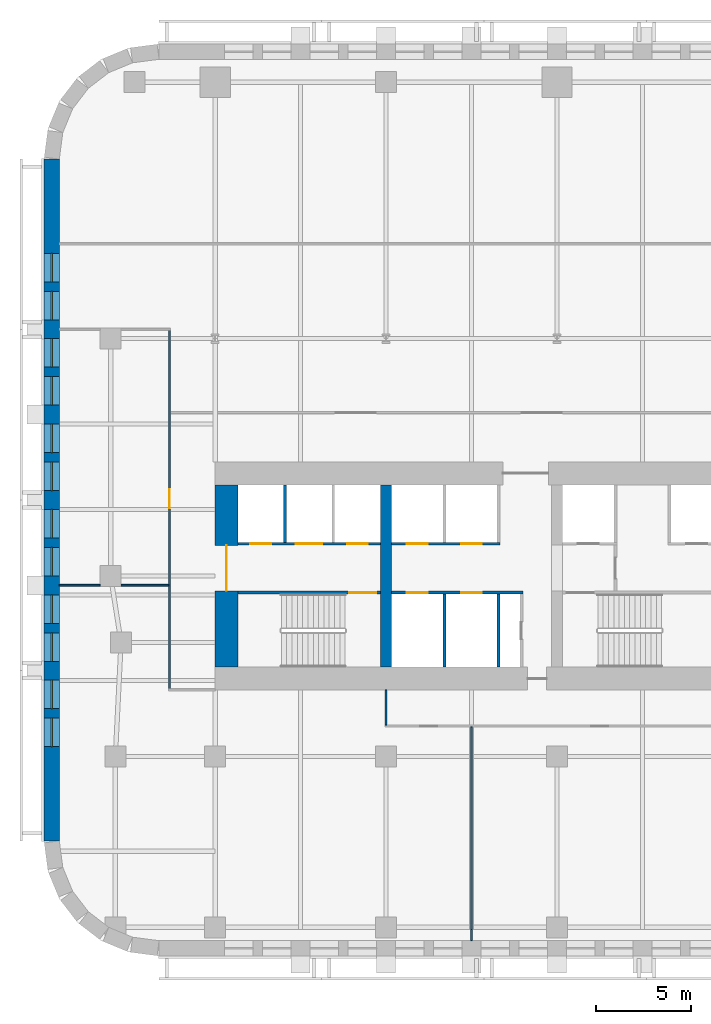
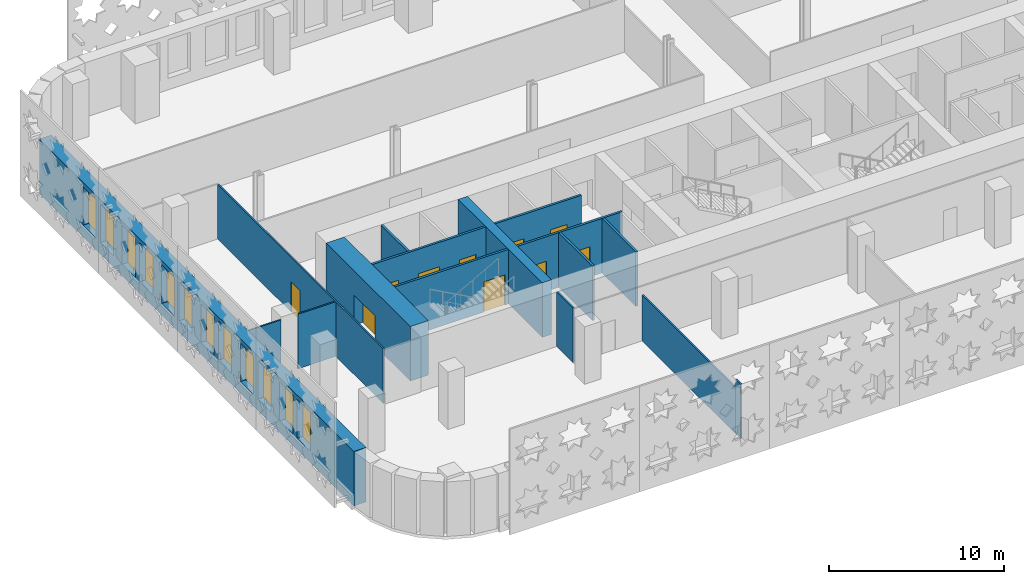
# One storey, part 3 of 15: 16 walls, 12 windows, 10 doors, 22 openings.
"""IFC4 building model written with IfcOpenShell, lengths in metres."""

from ifc_helpers import new_model, si_unit, direction, frame, frame_2d, origin, place, context, subcontext, project, spatial, rectangle, extrude, material, layer, layer_set, type_object, element, fill, save


model = new_model("IFC4")

# Units and contexts
model_context = context("Model", 3, precision=1e-05, world=origin(), true_north=direction((0.0, 1.0)))
body_context = subcontext(model_context, "Body", "Model", "MODEL_VIEW")
ifc_project = project(units=[si_unit("LENGTHUNIT", "METRE"), si_unit("AREAUNIT", "SQUARE_METRE"), si_unit("VOLUMEUNIT", "CUBIC_METRE"), si_unit("PLANEANGLEUNIT", "RADIAN"), si_unit("MASSUNIT", "GRAM", prefix="KILO")], contexts=[model_context])

# Site, building, storey
site_placement = place(None, origin())
site = spatial("IfcSite", under=ifc_project, at=site_placement, CompositionType="ELEMENT")
building_placement = place(site_placement, origin())
building = spatial("IfcBuilding", under=site, at=building_placement, Name="Zellij Exchange Tower", CompositionType="ELEMENT")
storey_placement = place(building_placement, frame((0.0, 0.0, 84.5)))
storey = spatial("IfcBuildingStorey", under=building, at=storey_placement, Name="L17", CompositionType="ELEMENT", Elevation=84.5)

# Walls
ifc_material_1 = material(Name="Concrete C70/85", Category="concrete")
ifc_layer_1 = layer(ifc_material_1, 0.60009765625)
ifc_layer_set_1 = layer_set([ifc_layer_1], Name="Concrete C70/85")
wall_type_1 = type_object("IfcWallType", Name="CORE-CW 600 C70/85", PredefinedType="SHEAR", material=ifc_layer_set_1)
wall_1_placement = place(storey_placement, frame((-18.0, -12.800048828125, 0.0), z_axis=(0.0, 0.0, 1.0), x_axis=(0.0, 1.0, 0.0)))
element("IfcWall", 1, at=wall_1_placement, inside=storey, type_object=wall_type_1, Name="Core cross wall x -18 L17", PredefinedType="SHEAR", context=body_context, shape_type="SweptSolid", body=[
    extrude(rectangle(XDim=9.60009765625, YDim=0.60009765625, at=frame_2d((4.800048828125, 0.0))), origin(), (0.0, 0.0, 1.0), 3.800048828125),
])
ifc_material_2 = material(Name="Gypsum shaft wall system")
ifc_layer_2 = layer(ifc_material_2, 0.14990234375)
ifc_layer_set_2 = layer_set([ifc_layer_2], Name="Gypsum shaft wall system")
wall_type_2 = type_object("IfcWallType", Name="CORE-PW 150 Lift shaft wall", PredefinedType="PARTITIONING", material=ifc_layer_set_2)
wall_2_placement = place(storey_placement, frame((-23.324951171875, -6.22509765625, 0.0), z_axis=(0.0, 0.0, 1.0), x_axis=(0.0, 1.0, 0.0)))
element("IfcWall", 2, at=wall_2_placement, inside=storey, type_object=wall_type_2, Name="Lift shaft wall L17", PredefinedType="PARTITIONING", context=body_context, shape_type="SweptSolid", body=[
    extrude(rectangle(XDim=3.025146484375, YDim=0.14990234375, at=frame_2d((1.5126953125, 0.0))), origin(), (0.0, 0.0, 1.0), 3.800048828125),
])
for number, where, z_axis, x_axis, name in (
    (3, (-12.074951171875, -12.800048828125, 0.0), (0.0, 0.0, 1.0), (0.0, 1.0, 0.0), "Lift shaft wall L17"),
    (4, (-14.925048828125, -12.800048828125, 0.0), (0.0, 0.0, 1.0), (0.0, 1.0, 0.0), "Lift shaft wall L17"),
):
    element("IfcWall", number, at=place(storey_placement, frame(where, z_axis=z_axis, x_axis=x_axis)), inside=storey, type_object=wall_type_2, Name=name, PredefinedType="PARTITIONING", context=body_context, shape_type="SweptSolid", body=[
        extrude(rectangle(XDim=3.85009765625, YDim=0.14990234375, at=frame_2d((1.925048828125, 0.0))), origin(), (0.0, 0.0, 1.0), 3.800048828125),
    ])

# Wall, openings, doors
wall_3_placement = place(storey_placement, frame((-25.800048828125, -6.300048828125, 0.0), z_axis=(0.0, 0.0, 1.0), x_axis=(1.0, 0.0, 0.0)))
wall_3 = element("IfcWall", 5, at=wall_3_placement, inside=storey, type_object=wall_type_2, Name="Lift shaft wall L17", PredefinedType="PARTITIONING", context=body_context, shape_type="SweptSolid", body=[
    extrude(rectangle(XDim=7.5, YDim=0.14990234375, at=frame_2d((3.75, 0.0))), origin(), (0.0, 0.0, 1.0), 3.800048828125),
])
opening_1_placement = place(wall_3_placement, frame((0.64990234375, 0.0, 0.0)))
opening_1 = element("IfcOpeningElement", 6, at=opening_1_placement, cuts=wall_3, Name="Opening CA-09.02", PredefinedType="OPENING", context=body_context, shape_type="SweptSolid", body=[
    extrude(rectangle(XDim=1.10009765625, YDim=2.10009765625, at=frame_2d((0.550048828125, 1.050048828125))), frame((0.0, 0.0869140625, 0.0), z_axis=(0.0, -1.0, 0.0), x_axis=(1.0, 0.0, 0.0)), (0.0, 0.0, 1.0), 0.173828125),
])
opening_2_placement = place(wall_3_placement, frame((3.050048828125, 0.0, 0.0)))
opening_2 = element("IfcOpeningElement", 7, at=opening_2_placement, cuts=wall_3, Name="Opening CA-09.03", PredefinedType="OPENING", context=body_context, shape_type="SweptSolid", body=[
    extrude(rectangle(XDim=1.39990234375, YDim=2.10009765625, at=frame_2d((0.699951171875, 1.050048828125))), frame((0.0, 0.0869140625, 0.0), z_axis=(0.0, -1.0, 0.0), x_axis=(1.0, 0.0, 0.0)), (0.0, 0.0, 1.0), 0.173828125),
])
opening_3_placement = place(wall_3_placement, frame((5.75, 0.0, 0.0)))
opening_3 = element("IfcOpeningElement", 8, at=opening_3_placement, cuts=wall_3, Name="Opening CA-09.04", PredefinedType="OPENING", context=body_context, shape_type="SweptSolid", body=[
    extrude(rectangle(XDim=1.10009765625, YDim=2.10009765625, at=frame_2d((0.550048828125, 1.050048828125))), frame((0.0, 0.0869140625, 0.0), z_axis=(0.0, -1.0, 0.0), x_axis=(1.0, 0.0, 0.0)), (0.0, 0.0, 1.0), 0.173828125),
])
ifc_material_3 = material(Name="Hollow metal fire door")
door_type_1 = type_object("IfcDoorType", Name="CORE-D LD Lift landing door 1100x2100 1.5 HR", OperationType="NOTDEFINED", PredefinedType="DOOR", material=ifc_material_3)
door_1_placement = place(opening_1_placement, origin())
door_1 = element("IfcDoor", 9, at=door_1_placement, inside=storey, type_object=door_type_1, Name="Lift landing door CA-09.02", OperationType="SLIDING_TO_RIGHT", OverallHeight=2.10009765625, OverallWidth=1.10009765625, PredefinedType="DOOR", context=body_context, shape_type="SweptSolid", body=[
    extrude(rectangle(XDim=1.10009765625, YDim=2.10009765625, at=frame_2d((0.550048828125, 1.050048828125))), frame((0.0, 0.02490234375, 0.0), z_axis=(0.0, -1.0, 0.0), x_axis=(1.0, 0.0, 0.0)), (0.0, 0.0, 1.0), 0.050048828125),
])
fill(opening_1, door_1)
door_2_placement = place(opening_3_placement, origin())
door_2 = element("IfcDoor", 10, at=door_2_placement, inside=storey, type_object=door_type_1, Name="Lift landing door CA-09.04", OperationType="SLIDING_TO_RIGHT", OverallHeight=2.10009765625, OverallWidth=1.10009765625, PredefinedType="DOOR", context=body_context, shape_type="SweptSolid", body=[
    extrude(rectangle(XDim=1.10009765625, YDim=2.10009765625, at=frame_2d((0.550048828125, 1.050048828125))), frame((0.0, 0.02490234375, 0.0), z_axis=(0.0, -1.0, 0.0), x_axis=(1.0, 0.0, 0.0)), (0.0, 0.0, 1.0), 0.050048828125),
])
fill(opening_3, door_2)
door_type_2 = type_object("IfcDoorType", Name="CORE-D LD2 Service lift landing door 1400x2100 1.5 HR", OperationType="NOTDEFINED", PredefinedType="DOOR", material=ifc_material_3)
door_3_placement = place(opening_2_placement, origin())
door_3 = element("IfcDoor", 11, at=door_3_placement, inside=storey, type_object=door_type_2, Name="Service lift landing door CA-09.03", OperationType="SLIDING_TO_LEFT", OverallHeight=2.10009765625, OverallWidth=1.39990234375, PredefinedType="DOOR", context=body_context, shape_type="SweptSolid", body=[
    extrude(rectangle(XDim=1.39990234375, YDim=2.10009765625, at=frame_2d((0.699951171875, 1.050048828125))), frame((0.0, 0.02490234375, 0.0), z_axis=(0.0, -1.0, 0.0), x_axis=(1.0, 0.0, 0.0)), (0.0, 0.0, 1.0), 0.050048828125),
])
fill(opening_2, door_3)

wall_4_placement = place(storey_placement, frame((-17.699951171875, -6.300048828125, 0.0), z_axis=(0.0, 0.0, 1.0), x_axis=(1.0, 0.0, 0.0)))
wall_4 = element("IfcWall", 12, at=wall_4_placement, inside=storey, type_object=wall_type_2, Name="Lift shaft wall L17", PredefinedType="PARTITIONING", context=body_context, shape_type="SweptSolid", body=[
    extrude(rectangle(XDim=5.699951171875, YDim=0.14990234375, at=frame_2d((2.85009765625, 0.0))), origin(), (0.0, 0.0, 1.0), 3.800048828125),
])
opening_4_placement = place(wall_4_placement, frame((0.800048828125, 0.0, 0.0)))
opening_4 = element("IfcOpeningElement", 13, at=opening_4_placement, cuts=wall_4, Name="Opening CA-09.07", PredefinedType="OPENING", context=body_context, shape_type="SweptSolid", body=[
    extrude(rectangle(XDim=1.10009765625, YDim=2.10009765625, at=frame_2d((0.550048828125, 1.050048828125))), frame((0.0, 0.0869140625, 0.0), z_axis=(0.0, -1.0, 0.0), x_axis=(1.0, 0.0, 0.0)), (0.0, 0.0, 1.0), 0.173828125),
])
opening_5_placement = place(wall_4_placement, frame((3.64990234375, 0.0, 0.0)))
opening_5 = element("IfcOpeningElement", 14, at=opening_5_placement, cuts=wall_4, Name="Opening CA-09.09", PredefinedType="OPENING", context=body_context, shape_type="SweptSolid", body=[
    extrude(rectangle(XDim=1.10009765625, YDim=2.10009765625, at=frame_2d((0.550048828125, 1.050048828125))), frame((0.0, 0.0869140625, 0.0), z_axis=(0.0, -1.0, 0.0), x_axis=(1.0, 0.0, 0.0)), (0.0, 0.0, 1.0), 0.173828125),
])
door_4_placement = place(opening_4_placement, origin())
door_4 = element("IfcDoor", 15, at=door_4_placement, inside=storey, type_object=door_type_1, Name="Lift landing door CA-09.07", OperationType="SLIDING_TO_LEFT", OverallHeight=2.10009765625, OverallWidth=1.10009765625, PredefinedType="DOOR", context=body_context, shape_type="SweptSolid", body=[
    extrude(rectangle(XDim=1.10009765625, YDim=2.10009765625, at=frame_2d((0.550048828125, 1.050048828125))), frame((0.0, 0.02490234375, 0.0), z_axis=(0.0, -1.0, 0.0), x_axis=(1.0, 0.0, 0.0)), (0.0, 0.0, 1.0), 0.050048828125),
])
fill(opening_4, door_4)
door_5_placement = place(opening_5_placement, origin())
door_5 = element("IfcDoor", 16, at=door_5_placement, inside=storey, type_object=door_type_1, Name="Lift landing door CA-09.09", OperationType="SLIDING_TO_LEFT", OverallHeight=2.10009765625, OverallWidth=1.10009765625, PredefinedType="DOOR", context=body_context, shape_type="SweptSolid", body=[
    extrude(rectangle(XDim=1.10009765625, YDim=2.10009765625, at=frame_2d((0.550048828125, 1.050048828125))), frame((0.0, 0.02490234375, 0.0), z_axis=(0.0, -1.0, 0.0), x_axis=(1.0, 0.0, 0.0)), (0.0, 0.0, 1.0), 0.050048828125),
])
fill(opening_5, door_5)

wall_5_placement = place(storey_placement, frame((-17.699951171875, -8.875, 0.0), z_axis=(0.0, 0.0, 1.0), x_axis=(1.0, 0.0, 0.0)))
wall_5 = element("IfcWall", 17, at=wall_5_placement, inside=storey, type_object=wall_type_2, Name="Lift shaft wall L17", PredefinedType="PARTITIONING", context=body_context, shape_type="SweptSolid", body=[
    extrude(rectangle(XDim=6.89990234375, YDim=0.14990234375, at=frame_2d((3.449951171875, 0.0))), origin(), (0.0, 0.0, 1.0), 3.800048828125),
])
opening_6_placement = place(wall_5_placement, frame((0.800048828125, 0.0, 0.0)))
opening_6 = element("IfcOpeningElement", 18, at=opening_6_placement, cuts=wall_5, Name="Opening CA-09.06", PredefinedType="OPENING", context=body_context, shape_type="SweptSolid", body=[
    extrude(rectangle(XDim=1.10009765625, YDim=2.10009765625, at=frame_2d((0.550048828125, 1.050048828125))), frame((0.0, 0.0869140625, 0.0), z_axis=(0.0, -1.0, 0.0), x_axis=(1.0, 0.0, 0.0)), (0.0, 0.0, 1.0), 0.173828125),
])
opening_7_placement = place(wall_5_placement, frame((3.64990234375, 0.0, 0.0)))
opening_7 = element("IfcOpeningElement", 19, at=opening_7_placement, cuts=wall_5, Name="Opening CA-09.08", PredefinedType="OPENING", context=body_context, shape_type="SweptSolid", body=[
    extrude(rectangle(XDim=1.10009765625, YDim=2.10009765625, at=frame_2d((0.550048828125, 1.050048828125))), frame((0.0, 0.0869140625, 0.0), z_axis=(0.0, -1.0, 0.0), x_axis=(1.0, 0.0, 0.0)), (0.0, 0.0, 1.0), 0.173828125),
])
door_6_placement = place(opening_6_placement, origin())
door_6 = element("IfcDoor", 20, at=door_6_placement, inside=storey, type_object=door_type_1, Name="Lift landing door CA-09.06", OperationType="SLIDING_TO_RIGHT", OverallHeight=2.10009765625, OverallWidth=1.10009765625, PredefinedType="DOOR", context=body_context, shape_type="SweptSolid", body=[
    extrude(rectangle(XDim=1.10009765625, YDim=2.10009765625, at=frame_2d((0.550048828125, 1.050048828125))), frame((0.0, 0.02490234375, 0.0), z_axis=(0.0, -1.0, 0.0), x_axis=(1.0, 0.0, 0.0)), (0.0, 0.0, 1.0), 0.050048828125),
])
fill(opening_6, door_6)
door_7_placement = place(opening_7_placement, origin())
door_7 = element("IfcDoor", 21, at=door_7_placement, inside=storey, type_object=door_type_1, Name="Lift landing door CA-09.08", OperationType="SLIDING_TO_RIGHT", OverallHeight=2.10009765625, OverallWidth=1.10009765625, PredefinedType="DOOR", context=body_context, shape_type="SweptSolid", body=[
    extrude(rectangle(XDim=1.10009765625, YDim=2.10009765625, at=frame_2d((0.550048828125, 1.050048828125))), frame((0.0, 0.02490234375, 0.0), z_axis=(0.0, -1.0, 0.0), x_axis=(1.0, 0.0, 0.0)), (0.0, 0.0, 1.0), 0.050048828125),
])
fill(opening_7, door_7)

# Wall, opening, door
ifc_layer_3 = layer(ifc_material_1, 1.199951171875)
ifc_layer_set_3 = layer_set([ifc_layer_3], Name="Concrete C70/85")
wall_type_3 = type_object("IfcWallType", Name="CORE-SW 1200 C70/85", PredefinedType="SHEAR", material=ifc_layer_set_3)
wall_6_placement = place(storey_placement, frame((-26.39990234375, -12.800048828125, 0.0), z_axis=(0.0, 0.0, 1.0), x_axis=(0.0, 1.0, 0.0)))
wall_6 = element("IfcWall", 22, at=wall_6_placement, inside=storey, type_object=wall_type_3, Name="Core shear wall end w L17", PredefinedType="SHEAR", context=body_context, shape_type="SweptSolid", body=[
    extrude(rectangle(XDim=9.60009765625, YDim=1.199951171875, at=frame_2d((4.800048828125, 0.0))), origin(), (0.0, 0.0, 1.0), 3.800048828125),
])
opening_8_placement = place(wall_6_placement, frame((4.011962890625, 0.0, 0.0)))
opening_8 = element("IfcOpeningElement", 23, at=opening_8_placement, cuts=wall_6, Name="Opening CA-09.01", PredefinedType="OPENING", context=body_context, shape_type="SweptSolid", body=[
    extrude(rectangle(XDim=2.39990234375, YDim=2.10009765625, at=frame_2d((1.199951171875, 1.050048828125))), frame((0.0, 0.61181640625, 0.0), z_axis=(0.0, -1.0, 0.0), x_axis=(1.0, 0.0, 0.0)), (0.0, 0.0, 1.0), 1.223876953125),
])
door_type_3 = type_object("IfcDoorType", Name="CORE-D CE Core entrance door 2400x2100 20 MIN", OperationType="NOTDEFINED", PredefinedType="DOOR", material=ifc_material_3)
door_8_placement = place(opening_8_placement, origin())
door_8 = element("IfcDoor", 24, at=door_8_placement, inside=storey, type_object=door_type_3, Name="Core entrance door CA-09.01", OperationType="DOUBLE_DOOR_SINGLE_SWING", OverallHeight=2.10009765625, OverallWidth=2.39990234375, PredefinedType="DOOR", context=body_context, shape_type="SweptSolid", body=[
    extrude(rectangle(XDim=2.39990234375, YDim=2.10009765625, at=frame_2d((1.199951171875, 1.050048828125))), frame((0.0, 0.02490234375, 0.0), z_axis=(0.0, -1.0, 0.0), x_axis=(1.0, 0.0, 0.0)), (0.0, 0.0, 1.0), 0.050048828125),
])
fill(opening_8, door_8)

ifc_layer_4 = layer(ifc_material_1, 0.14990234375)
ifc_layer_set_4 = layer_set([ifc_layer_4], Name="Concrete C70/85")
wall_type_4 = type_object("IfcWallType", Name="CORE-SWS 150 C70/85", PredefinedType="SHEAR", material=ifc_layer_set_4)
wall_7_placement = place(storey_placement, frame((-25.800048828125, -8.875, 0.0), z_axis=(0.0, 0.0, 1.0), x_axis=(1.0, 0.0, 0.0)))
wall_7 = element("IfcWall", 25, at=wall_7_placement, inside=storey, type_object=wall_type_4, Name="Stair enclosure wall L17", PredefinedType="SHEAR", context=body_context, shape_type="SweptSolid", body=[
    extrude(rectangle(XDim=7.5, YDim=0.14990234375, at=frame_2d((3.75, 0.0))), origin(), (0.0, 0.0, 1.0), 3.800048828125),
])
opening_9_placement = place(wall_7_placement, frame((5.875, 0.0, 0.0)))
opening_9 = element("IfcOpeningElement", 26, at=opening_9_placement, cuts=wall_7, Name="Opening CA-09.05", PredefinedType="OPENING", context=body_context, shape_type="SweptSolid", body=[
    extrude(rectangle(XDim=1.39990234375, YDim=2.10009765625, at=frame_2d((0.699951171875, 1.050048828125))), frame((0.0, 0.0869140625, 0.0), z_axis=(0.0, -1.0, 0.0), x_axis=(1.0, 0.0, 0.0)), (0.0, 0.0, 1.0), 0.173828125),
])
door_type_4 = type_object("IfcDoorType", Name="CORE-D SD Stair door 1400x2100 1.5 HR", OperationType="NOTDEFINED", PredefinedType="DOOR", material=ifc_material_3)
door_9_placement = place(opening_9_placement, origin())
door_9 = element("IfcDoor", 27, at=door_9_placement, inside=storey, type_object=door_type_4, Name="Stair door CA-09.05", OperationType="DOUBLE_DOOR_SINGLE_SWING", OverallHeight=2.10009765625, OverallWidth=1.39990234375, PredefinedType="DOOR", context=body_context, shape_type="SweptSolid", body=[
    extrude(rectangle(XDim=1.39990234375, YDim=2.10009765625, at=frame_2d((0.699951171875, 1.050048828125))), frame((0.0, 0.02490234375, 0.0), z_axis=(0.0, -1.0, 0.0), x_axis=(1.0, 0.0, 0.0)), (0.0, 0.0, 1.0), 0.050048828125),
])
fill(opening_9, door_9)

# Wall, openings, windows
ifc_material_4 = material(Name="Precast concrete C40/50", Category="concrete")
ifc_layer_5 = layer(ifc_material_4, 0.800048828125)
ifc_layer_set_5 = layer_set([ifc_layer_5], Name="Precast concrete C40/50")
wall_type_5 = type_object("IfcWallType", Name="ENV-EW1 Precast stone-piered wall 800", PredefinedType="SOLIDWALL", material=ifc_layer_set_5)
wall_8_placement = place(storey_placement, frame((-35.60009765625, 13.947509765625, 0.0), z_axis=(0.0, 0.0, 1.0), x_axis=(0.0, -1.0, 0.0)))
wall_8 = element("IfcWall", 28, at=wall_8_placement, inside=storey, type_object=wall_type_5, Name="fac.L17.21", PredefinedType="SOLIDWALL", context=body_context, shape_type="SweptSolid", body=[
    extrude(rectangle(XDim=35.89501953125, YDim=0.800048828125, at=frame_2d((17.947509765625, 0.0))), origin(), (0.0, 0.0, 1.0), 3.800048828125),
])
opening_10_placement = place(wall_8_placement, frame((4.9638671875, 0.0, 0.800048828125)))
opening_10 = element("IfcOpeningElement", 29, at=opening_10_placement, cuts=wall_8, Name="Opening FZ1.61", PredefinedType="OPENING", context=body_context, shape_type="SweptSolid", body=[
    extrude(rectangle(XDim=1.5, YDim=2.699951171875, at=frame_2d((0.75, 1.35009765625))), frame((0.0, 0.412109375, 0.0), z_axis=(0.0, -1.0, 0.0), x_axis=(1.0, 0.0, 0.0)), (0.0, 0.0, 1.0), 0.823974609375),
])
opening_11_placement = place(wall_8_placement, frame((6.9638671875, 0.0, 0.800048828125)))
opening_11 = element("IfcOpeningElement", 30, at=opening_11_placement, cuts=wall_8, Name="Opening FZ1.62", PredefinedType="OPENING", context=body_context, shape_type="SweptSolid", body=[
    extrude(rectangle(XDim=1.5, YDim=2.699951171875, at=frame_2d((0.75, 1.35009765625))), frame((0.0, 0.412109375, 0.0), z_axis=(0.0, -1.0, 0.0), x_axis=(1.0, 0.0, 0.0)), (0.0, 0.0, 1.0), 0.823974609375),
])
opening_12_placement = place(wall_8_placement, frame((9.45751953125, 0.0, 0.800048828125)))
opening_12 = element("IfcOpeningElement", 31, at=opening_12_placement, cuts=wall_8, Name="Opening FZ1.63", PredefinedType="OPENING", context=body_context, shape_type="SweptSolid", body=[
    extrude(rectangle(XDim=1.5, YDim=2.699951171875, at=frame_2d((0.75, 1.35009765625))), frame((0.0, 0.412109375, 0.0), z_axis=(0.0, -1.0, 0.0), x_axis=(1.0, 0.0, 0.0)), (0.0, 0.0, 1.0), 0.823974609375),
])
opening_13_placement = place(wall_8_placement, frame((11.45751953125, 0.0, 0.800048828125)))
opening_13 = element("IfcOpeningElement", 32, at=opening_13_placement, cuts=wall_8, Name="Opening FZ1.64", PredefinedType="OPENING", context=body_context, shape_type="SweptSolid", body=[
    extrude(rectangle(XDim=1.5, YDim=2.699951171875, at=frame_2d((0.75, 1.35009765625))), frame((0.0, 0.412109375, 0.0), z_axis=(0.0, -1.0, 0.0), x_axis=(1.0, 0.0, 0.0)), (0.0, 0.0, 1.0), 0.823974609375),
])
opening_14_placement = place(wall_8_placement, frame((13.950927734375, 0.0, 0.800048828125)))
opening_14 = element("IfcOpeningElement", 33, at=opening_14_placement, cuts=wall_8, Name="Opening FZ1.65", PredefinedType="OPENING", context=body_context, shape_type="SweptSolid", body=[
    extrude(rectangle(XDim=1.5, YDim=2.699951171875, at=frame_2d((0.75, 1.35009765625))), frame((0.0, 0.412109375, 0.0), z_axis=(0.0, -1.0, 0.0), x_axis=(1.0, 0.0, 0.0)), (0.0, 0.0, 1.0), 0.823974609375),
])
opening_15_placement = place(wall_8_placement, frame((15.95068359375, 0.0, 0.800048828125)))
opening_15 = element("IfcOpeningElement", 34, at=opening_15_placement, cuts=wall_8, Name="Opening FZ1.66", PredefinedType="OPENING", context=body_context, shape_type="SweptSolid", body=[
    extrude(rectangle(XDim=1.5, YDim=2.699951171875, at=frame_2d((0.75, 1.35009765625))), frame((0.0, 0.412109375, 0.0), z_axis=(0.0, -1.0, 0.0), x_axis=(1.0, 0.0, 0.0)), (0.0, 0.0, 1.0), 0.823974609375),
])
opening_16_placement = place(wall_8_placement, frame((18.4443359375, 0.0, 0.800048828125)))
opening_16 = element("IfcOpeningElement", 35, at=opening_16_placement, cuts=wall_8, Name="Opening FZ1.67", PredefinedType="OPENING", context=body_context, shape_type="SweptSolid", body=[
    extrude(rectangle(XDim=1.5, YDim=2.699951171875, at=frame_2d((0.75, 1.35009765625))), frame((0.0, 0.412109375, 0.0), z_axis=(0.0, -1.0, 0.0), x_axis=(1.0, 0.0, 0.0)), (0.0, 0.0, 1.0), 0.823974609375),
])
opening_17_placement = place(wall_8_placement, frame((20.4443359375, 0.0, 0.800048828125)))
opening_17 = element("IfcOpeningElement", 36, at=opening_17_placement, cuts=wall_8, Name="Opening FZ1.68", PredefinedType="OPENING", context=body_context, shape_type="SweptSolid", body=[
    extrude(rectangle(XDim=1.5, YDim=2.699951171875, at=frame_2d((0.75, 1.35009765625))), frame((0.0, 0.412109375, 0.0), z_axis=(0.0, -1.0, 0.0), x_axis=(1.0, 0.0, 0.0)), (0.0, 0.0, 1.0), 0.823974609375),
])
opening_18_placement = place(wall_8_placement, frame((22.937744140625, 0.0, 0.800048828125)))
opening_18 = element("IfcOpeningElement", 37, at=opening_18_placement, cuts=wall_8, Name="Opening FZ1.69", PredefinedType="OPENING", context=body_context, shape_type="SweptSolid", body=[
    extrude(rectangle(XDim=1.5, YDim=2.699951171875, at=frame_2d((0.75, 1.35009765625))), frame((0.0, 0.412109375, 0.0), z_axis=(0.0, -1.0, 0.0), x_axis=(1.0, 0.0, 0.0)), (0.0, 0.0, 1.0), 0.823974609375),
])
opening_19_placement = place(wall_8_placement, frame((24.937744140625, 0.0, 0.800048828125)))
opening_19 = element("IfcOpeningElement", 38, at=opening_19_placement, cuts=wall_8, Name="Opening FZ1.70", PredefinedType="OPENING", context=body_context, shape_type="SweptSolid", body=[
    extrude(rectangle(XDim=1.5, YDim=2.699951171875, at=frame_2d((0.75, 1.35009765625))), frame((0.0, 0.412109375, 0.0), z_axis=(0.0, -1.0, 0.0), x_axis=(1.0, 0.0, 0.0)), (0.0, 0.0, 1.0), 0.823974609375),
])
opening_20_placement = place(wall_8_placement, frame((27.43115234375, 0.0, 0.800048828125)))
opening_20 = element("IfcOpeningElement", 39, at=opening_20_placement, cuts=wall_8, Name="Opening FZ1.71", PredefinedType="OPENING", context=body_context, shape_type="SweptSolid", body=[
    extrude(rectangle(XDim=1.5, YDim=2.699951171875, at=frame_2d((0.75, 1.35009765625))), frame((0.0, 0.412109375, 0.0), z_axis=(0.0, -1.0, 0.0), x_axis=(1.0, 0.0, 0.0)), (0.0, 0.0, 1.0), 0.823974609375),
])
opening_21_placement = place(wall_8_placement, frame((29.43115234375, 0.0, 0.800048828125)))
opening_21 = element("IfcOpeningElement", 40, at=opening_21_placement, cuts=wall_8, Name="Opening FZ1.72", PredefinedType="OPENING", context=body_context, shape_type="SweptSolid", body=[
    extrude(rectangle(XDim=1.5, YDim=2.699951171875, at=frame_2d((0.75, 1.35009765625))), frame((0.0, 0.412109375, 0.0), z_axis=(0.0, -1.0, 0.0), x_axis=(1.0, 0.0, 0.0)), (0.0, 0.0, 1.0), 0.823974609375),
])
ifc_material_5 = material(Name="Aluminium frame with insulating glass", Category="aluminium")
window_type = type_object("IfcWindowType", Name="ENV-W6 Window 1500x2700", PartitioningType="SINGLE_PANEL", PredefinedType="WINDOW", material=ifc_material_5)
window_1_placement = place(opening_10_placement, origin())
window_1 = element("IfcWindow", 41, at=window_1_placement, inside=storey, type_object=window_type, Name="Window FZ1.61", OverallHeight=2.699951171875, OverallWidth=1.5, PartitioningType="SINGLE_PANEL", PredefinedType="WINDOW", context=body_context, shape_type="SweptSolid", body=[
    extrude(rectangle(XDim=1.5, YDim=2.699951171875, at=frame_2d((0.75, 1.35009765625))), frame((0.0, 0.030029296875, 0.0), z_axis=(0.0, -1.0, 0.0), x_axis=(1.0, 0.0, 0.0)), (0.0, 0.0, 1.0), 0.06005859375),
])
fill(opening_10, window_1)
window_2_placement = place(opening_11_placement, origin())
window_2 = element("IfcWindow", 42, at=window_2_placement, inside=storey, type_object=window_type, Name="Window FZ1.62", OverallHeight=2.699951171875, OverallWidth=1.5, PartitioningType="SINGLE_PANEL", PredefinedType="WINDOW", context=body_context, shape_type="SweptSolid", body=[
    extrude(rectangle(XDim=1.5, YDim=2.699951171875, at=frame_2d((0.75, 1.35009765625))), frame((0.0, 0.030029296875, 0.0), z_axis=(0.0, -1.0, 0.0), x_axis=(1.0, 0.0, 0.0)), (0.0, 0.0, 1.0), 0.06005859375),
])
fill(opening_11, window_2)
window_3_placement = place(opening_12_placement, origin())
window_3 = element("IfcWindow", 43, at=window_3_placement, inside=storey, type_object=window_type, Name="Window FZ1.63", OverallHeight=2.699951171875, OverallWidth=1.5, PartitioningType="SINGLE_PANEL", PredefinedType="WINDOW", context=body_context, shape_type="SweptSolid", body=[
    extrude(rectangle(XDim=1.5, YDim=2.699951171875, at=frame_2d((0.75, 1.35009765625))), frame((0.0, 0.030029296875, 0.0), z_axis=(0.0, -1.0, 0.0), x_axis=(1.0, 0.0, 0.0)), (0.0, 0.0, 1.0), 0.06005859375),
])
fill(opening_12, window_3)
window_4_placement = place(opening_13_placement, origin())
window_4 = element("IfcWindow", 44, at=window_4_placement, inside=storey, type_object=window_type, Name="Window FZ1.64", OverallHeight=2.699951171875, OverallWidth=1.5, PartitioningType="SINGLE_PANEL", PredefinedType="WINDOW", context=body_context, shape_type="SweptSolid", body=[
    extrude(rectangle(XDim=1.5, YDim=2.699951171875, at=frame_2d((0.75, 1.35009765625))), frame((0.0, 0.030029296875, 0.0), z_axis=(0.0, -1.0, 0.0), x_axis=(1.0, 0.0, 0.0)), (0.0, 0.0, 1.0), 0.06005859375),
])
fill(opening_13, window_4)
window_5_placement = place(opening_14_placement, origin())
window_5 = element("IfcWindow", 45, at=window_5_placement, inside=storey, type_object=window_type, Name="Window FZ1.65", OverallHeight=2.699951171875, OverallWidth=1.5, PartitioningType="SINGLE_PANEL", PredefinedType="WINDOW", context=body_context, shape_type="SweptSolid", body=[
    extrude(rectangle(XDim=1.5, YDim=2.699951171875, at=frame_2d((0.75, 1.35009765625))), frame((0.0, 0.030029296875, 0.0), z_axis=(0.0, -1.0, 0.0), x_axis=(1.0, 0.0, 0.0)), (0.0, 0.0, 1.0), 0.06005859375),
])
fill(opening_14, window_5)
window_6_placement = place(opening_15_placement, origin())
window_6 = element("IfcWindow", 46, at=window_6_placement, inside=storey, type_object=window_type, Name="Window FZ1.66", OverallHeight=2.699951171875, OverallWidth=1.5, PartitioningType="SINGLE_PANEL", PredefinedType="WINDOW", context=body_context, shape_type="SweptSolid", body=[
    extrude(rectangle(XDim=1.5, YDim=2.699951171875, at=frame_2d((0.75, 1.35009765625))), frame((0.0, 0.030029296875, 0.0), z_axis=(0.0, -1.0, 0.0), x_axis=(1.0, 0.0, 0.0)), (0.0, 0.0, 1.0), 0.06005859375),
])
fill(opening_15, window_6)
window_7_placement = place(opening_16_placement, origin())
window_7 = element("IfcWindow", 47, at=window_7_placement, inside=storey, type_object=window_type, Name="Window FZ1.67", OverallHeight=2.699951171875, OverallWidth=1.5, PartitioningType="SINGLE_PANEL", PredefinedType="WINDOW", context=body_context, shape_type="SweptSolid", body=[
    extrude(rectangle(XDim=1.5, YDim=2.699951171875, at=frame_2d((0.75, 1.35009765625))), frame((0.0, 0.030029296875, 0.0), z_axis=(0.0, -1.0, 0.0), x_axis=(1.0, 0.0, 0.0)), (0.0, 0.0, 1.0), 0.06005859375),
])
fill(opening_16, window_7)
window_8_placement = place(opening_17_placement, origin())
window_8 = element("IfcWindow", 48, at=window_8_placement, inside=storey, type_object=window_type, Name="Window FZ1.68", OverallHeight=2.699951171875, OverallWidth=1.5, PartitioningType="SINGLE_PANEL", PredefinedType="WINDOW", context=body_context, shape_type="SweptSolid", body=[
    extrude(rectangle(XDim=1.5, YDim=2.699951171875, at=frame_2d((0.75, 1.35009765625))), frame((0.0, 0.030029296875, 0.0), z_axis=(0.0, -1.0, 0.0), x_axis=(1.0, 0.0, 0.0)), (0.0, 0.0, 1.0), 0.06005859375),
])
fill(opening_17, window_8)
window_9_placement = place(opening_18_placement, origin())
window_9 = element("IfcWindow", 49, at=window_9_placement, inside=storey, type_object=window_type, Name="Window FZ1.69", OverallHeight=2.699951171875, OverallWidth=1.5, PartitioningType="SINGLE_PANEL", PredefinedType="WINDOW", context=body_context, shape_type="SweptSolid", body=[
    extrude(rectangle(XDim=1.5, YDim=2.699951171875, at=frame_2d((0.75, 1.35009765625))), frame((0.0, 0.030029296875, 0.0), z_axis=(0.0, -1.0, 0.0), x_axis=(1.0, 0.0, 0.0)), (0.0, 0.0, 1.0), 0.06005859375),
])
fill(opening_18, window_9)
window_10_placement = place(opening_19_placement, origin())
window_10 = element("IfcWindow", 50, at=window_10_placement, inside=storey, type_object=window_type, Name="Window FZ1.70", OverallHeight=2.699951171875, OverallWidth=1.5, PartitioningType="SINGLE_PANEL", PredefinedType="WINDOW", context=body_context, shape_type="SweptSolid", body=[
    extrude(rectangle(XDim=1.5, YDim=2.699951171875, at=frame_2d((0.75, 1.35009765625))), frame((0.0, 0.030029296875, 0.0), z_axis=(0.0, -1.0, 0.0), x_axis=(1.0, 0.0, 0.0)), (0.0, 0.0, 1.0), 0.06005859375),
])
fill(opening_19, window_10)
window_11_placement = place(opening_20_placement, origin())
window_11 = element("IfcWindow", 51, at=window_11_placement, inside=storey, type_object=window_type, Name="Window FZ1.71", OverallHeight=2.699951171875, OverallWidth=1.5, PartitioningType="SINGLE_PANEL", PredefinedType="WINDOW", context=body_context, shape_type="SweptSolid", body=[
    extrude(rectangle(XDim=1.5, YDim=2.699951171875, at=frame_2d((0.75, 1.35009765625))), frame((0.0, 0.030029296875, 0.0), z_axis=(0.0, -1.0, 0.0), x_axis=(1.0, 0.0, 0.0)), (0.0, 0.0, 1.0), 0.06005859375),
])
fill(opening_20, window_11)
window_12_placement = place(opening_21_placement, origin())
window_12 = element("IfcWindow", 52, at=window_12_placement, inside=storey, type_object=window_type, Name="Window FZ1.72", OverallHeight=2.699951171875, OverallWidth=1.5, PartitioningType="SINGLE_PANEL", PredefinedType="WINDOW", context=body_context, shape_type="SweptSolid", body=[
    extrude(rectangle(XDim=1.5, YDim=2.699951171875, at=frame_2d((0.75, 1.35009765625))), frame((0.0, 0.030029296875, 0.0), z_axis=(0.0, -1.0, 0.0), x_axis=(1.0, 0.0, 0.0)), (0.0, 0.0, 1.0), 0.06005859375),
])
fill(opening_21, window_12)

# Walls
ifc_material_6 = material(Name="Gypsum board partition on steel studs", Category="steel")
ifc_layer_6 = layer(ifc_material_6, 0.10009765625)
ifc_layer_set_6 = layer_set([ifc_layer_6], Name="Gypsum board partition on steel studs")
wall_type_6 = type_object("IfcWallType", Name="FIT-PARTITION-100", PredefinedType="PARTITIONING", material=ifc_layer_set_6)
wall_9_placement = place(storey_placement, frame((-13.5, -27.199951171875, 0.0), z_axis=(0.0, 0.0, 1.0), x_axis=(0.0, 1.0, 0.0)))
element("IfcWall", 53, at=wall_9_placement, inside=storey, type_object=wall_type_6, Name="FIT-PARTITION-100 001", PredefinedType="PARTITIONING", context=body_context, shape_type="SweptSolid", body=[
    extrude(rectangle(XDim=0.58544921875, YDim=0.10009765625, at=frame_2d((0.292724609375, 0.0))), origin(), (0.0, 0.0, 1.0), 3.800048828125),
])
wall_10_placement = place(storey_placement, frame((-13.5, -26.614501953125, 0.0), z_axis=(0.0, 0.0, 1.0), x_axis=(0.0, 1.0, 0.0)))
element("IfcWall", 54, at=wall_10_placement, inside=storey, type_object=wall_type_6, Name="FIT-PARTITION-100 002", PredefinedType="PARTITIONING", context=body_context, shape_type="SweptSolid", body=[
    extrude(rectangle(XDim=10.66455078125, YDim=0.10009765625, at=frame_2d((5.332275390625, 0.0))), origin(), (0.0, 0.0, 1.0), 3.197998046875),
])
wall_11_placement = place(storey_placement, frame((-18.0, -15.85009765625, 0.0), z_axis=(0.0, 0.0, 1.0), x_axis=(0.0, 1.0, 0.0)))
element("IfcWall", 55, at=wall_11_placement, inside=storey, type_object=wall_type_6, Name="FIT-PARTITION-100 008", PredefinedType="PARTITIONING", context=body_context, shape_type="SweptSolid", body=[
    extrude(rectangle(XDim=1.85009765625, YDim=0.10009765625, at=frame_2d((0.925048828125, 0.0))), origin(), (0.0, 0.0, 1.0), 3.800048828125),
])

# Wall, opening, door
wall_12_placement = place(storey_placement, frame((-29.39990234375, -13.949951171875, 0.0), z_axis=(0.0, 0.0, 1.0), x_axis=(0.0, 1.0, 0.0)))
wall_12 = element("IfcWall", 56, at=wall_12_placement, inside=storey, type_object=wall_type_6, Name="FIT-PARTITION-100 011", PredefinedType="PARTITIONING", context=body_context, shape_type="SweptSolid", body=[
    extrude(rectangle(XDim=18.889892578125, YDim=0.10009765625, at=frame_2d((9.44482421875, 0.0))), origin(), (0.0, 0.0, 1.0), 3.800048828125),
])
opening_22_placement = place(wall_12_placement, frame((9.510009765625, 0.0, 0.0)))
opening_22 = element("IfcOpeningElement", 57, at=opening_22_placement, cuts=wall_12, Name="Opening TC.06", PredefinedType="OPENING", context=body_context, shape_type="SweptSolid", body=[
    extrude(rectangle(XDim=1.0, YDim=2.10009765625, at=frame_2d((0.5, 1.050048828125))), frame((0.0, 0.06201171875, 0.0), z_axis=(0.0, -1.0, 0.0), x_axis=(1.0, 0.0, 0.0)), (0.0, 0.0, 1.0), 0.1240234375),
])
ifc_material_7 = material(Name="Timber door set", Category="wood")
door_type_5 = type_object("IfcDoorType", Name="FIT-D2-WIDE-1000X2100", OperationType="SINGLE_SWING_LEFT", PredefinedType="DOOR", material=ifc_material_7)
door_10_placement = place(opening_22_placement, origin())
door_10 = element("IfcDoor", 58, at=door_10_placement, inside=storey, type_object=door_type_5, Name="Door TC.06", OperationType="SINGLE_SWING_LEFT", OverallHeight=2.10009765625, OverallWidth=1.0, PredefinedType="DOOR", context=body_context, shape_type="SweptSolid", body=[
    extrude(rectangle(XDim=1.0, YDim=2.10009765625, at=frame_2d((0.5, 1.050048828125))), frame((0.0, 0.02490234375, 0.0), z_axis=(0.0, -1.0, 0.0), x_axis=(1.0, 0.0, 0.0)), (0.0, 0.0, 1.0), 0.050048828125),
])
fill(opening_22, door_10)

# Walls
wall_13_placement = place(storey_placement, frame((-35.199951171875, -8.489990234375, 0.0), z_axis=(0.0, 0.0, 1.0), x_axis=(1.0, 0.0, 0.0)))
element("IfcWall", 59, at=wall_13_placement, inside=storey, type_object=wall_type_6, Name="FIT-PARTITION-100 014", PredefinedType="PARTITIONING", context=body_context, shape_type="SweptSolid", body=[
    extrude(rectangle(XDim=2.14990234375, YDim=0.10009765625, at=frame_2d((1.074951171875, 0.0))), origin(), (0.0, 0.0, 1.0), 3.800048828125),
])
wall_14_placement = place(storey_placement, frame((-31.949951171875, -8.489990234375, 0.0), z_axis=(0.0, 0.0, 1.0), x_axis=(1.0, 0.0, 0.0)))
element("IfcWall", 60, at=wall_14_placement, inside=storey, type_object=wall_type_6, Name="FIT-PARTITION-100 015", PredefinedType="PARTITIONING", context=body_context, shape_type="SweptSolid", body=[
    extrude(rectangle(XDim=2.5, YDim=0.10009765625, at=frame_2d((1.25, 0.0))), origin(), (0.0, 0.0, 1.0), 3.800048828125),
])

save(model, "model.ifc")
